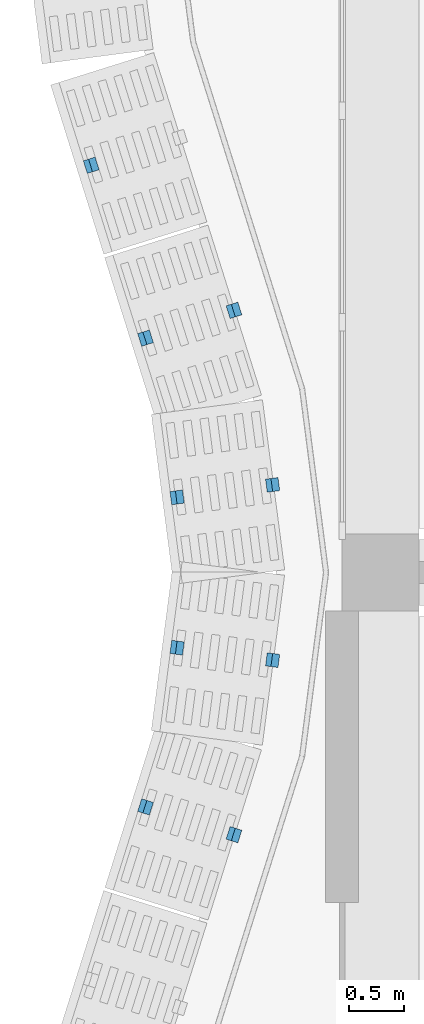
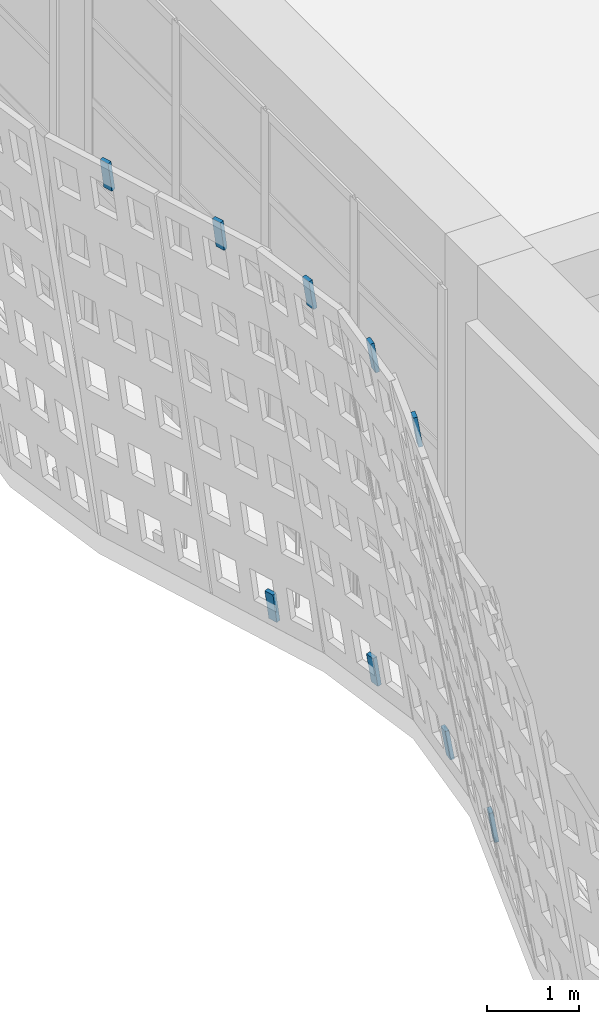
# One storey, part 135 of 210: 9 discrete accessories.
"""IFC4 building model written with IfcOpenShell, lengths in metres."""

from ifc_helpers import new_model, si_unit, direction, frame, origin, origin_2d, place, context, subcontext, project, spatial, rectangle, extrude, material, material_profile, profile_set, type_object, element, save


model = new_model("IFC4")

# Units and contexts
model_context = context("Model", 3, precision=1e-05, world=origin(), true_north=direction((0.0, 1.0)))
body_context = subcontext(model_context, "Body", "Model", "MODEL_VIEW")
ifc_project = project(units=[si_unit("LENGTHUNIT", "METRE"), si_unit("AREAUNIT", "SQUARE_METRE"), si_unit("VOLUMEUNIT", "CUBIC_METRE"), si_unit("PLANEANGLEUNIT", "RADIAN"), si_unit("MASSUNIT", "GRAM", prefix="KILO")], contexts=[model_context])

# Site, building, storey
site_placement = place(None, origin())
site = spatial("IfcSite", under=ifc_project, at=site_placement, CompositionType="ELEMENT")
building_placement = place(site_placement, origin())
building = spatial("IfcBuilding", under=site, at=building_placement, Name="Rain Tree Exposition and Congress Centre", CompositionType="ELEMENT")
storey_placement = place(building_placement, origin())
storey = spatial("IfcBuildingStorey", under=building, at=storey_placement, Name="L00", CompositionType="ELEMENT", Elevation=0.0)

# Discrete accessories
ifc_material = material(Name="Steel S355J2", Category="steel")
ifc_material_profile = material_profile(ifc_material, rectangle(XDim=0.1201171875, YDim=0.050048828125, at=origin_2d()), Name="Flat bar 120x50")
ifc_profile_set = profile_set([ifc_material_profile], Name="Steel S355J2")
discrete_accessory_type = type_object("IfcDiscreteAccessoryType", Name="Screen bracket 120x50", PredefinedType="BRACKET", material=ifc_profile_set)
for number, where, z_axis, x_axis, name in (
    (1, (-2.601806640625, 28.91259765625, 5.35107421875), (-0.148952572715, -0.047005524996, 0.987726486281), (0.300944311801, -0.953641715318, 0.0), "wing/bracket/L00/1161t"),
    (2, (-2.10791015625, 27.3408203125, 5.35107421875), (-0.14835557426, -0.047009791021, 0.987816128201), (0.302069971973, -0.953285755706, 0.0), "wing/bracket/L00/1171t"),
    (3, (-1.3037109375, 27.593505859375, 0.00390625), (-0.148359804637, -0.046400597335, 0.987844295896), (0.298498621301, -0.954410065476, 0.0), "wing/bracket/L00/1171b"),
):
    element("IfcDiscreteAccessory", number, at=place(storey_placement, frame(where, z_axis=z_axis, x_axis=x_axis)), inside=storey, type_object=discrete_accessory_type, Name=name, PredefinedType="BRACKET", context=body_context, shape_type="SweptSolid", body=[
        extrude(rectangle(XDim=0.1201171875, YDim=0.050048828125, at=origin_2d()), origin(), (0.0, 0.0, 1.0), 0.39990234375),
    ])
for number, where, z_axis, x_axis, name in (
    (4, (-1.818603515625, 25.8876953125, 5.351318359375), (-0.160502747552, -0.020749404626, 0.986817272972), (0.128210633661, -0.991746960377, 0.0), "wing/bracket/L00/1181t"),
    (5, (-0.94970703125, 26.0009765625, 0.00390625), (-0.160500685277, -0.021359406786, 0.986804593507), (0.131916834829, -0.991260787426, 0.0), "wing/bracket/L00/1181b"),
    (6, (-1.818603515625, 24.51220703125, 5.351318359375), (-0.160502747552, 0.020749404626, 0.986817272972), (-0.128210633661, -0.991746960377, 0.0), "wing/bracket/L00/1191t"),
    (7, (-0.94970703125, 24.399169921875, 0.00390625), (-0.160502747552, 0.020749404626, 0.986817272972), (-0.128210633661, -0.991746960377, 0.0), "wing/bracket/L00/1191b"),
):
    element("IfcDiscreteAccessory", number, at=place(storey_placement, frame(where, z_axis=z_axis, x_axis=x_axis)), inside=storey, type_object=discrete_accessory_type, Name=name, PredefinedType="BRACKET", context=body_context, shape_type="SweptSolid", body=[
        extrude(rectangle(XDim=0.1201171875, YDim=0.050048828125, at=origin_2d()), origin(), (0.0, 0.0, 1.0), 0.400146484375),
    ])
for number, where, z_axis, x_axis, name in (
    (8, (-2.10791015625, 23.05908203125, 5.35107421875), (-0.14835557426, 0.047009791021, 0.987816128201), (-0.302069971973, -0.953285755706, 0.0), "wing/bracket/L00/1201t"),
    (9, (-1.3037109375, 22.806396484375, 0.00390625), (-0.14835557426, 0.047009791021, 0.987816128201), (-0.302069971973, -0.953285755706, 0.0), "wing/bracket/L00/1201b"),
):
    element("IfcDiscreteAccessory", number, at=place(storey_placement, frame(where, z_axis=z_axis, x_axis=x_axis)), inside=storey, type_object=discrete_accessory_type, Name=name, PredefinedType="BRACKET", context=body_context, shape_type="SweptSolid", body=[
        extrude(rectangle(XDim=0.1201171875, YDim=0.050048828125, at=origin_2d()), origin(), (0.0, 0.0, 1.0), 0.39990234375),
    ])

save(model, "model.ifc")
